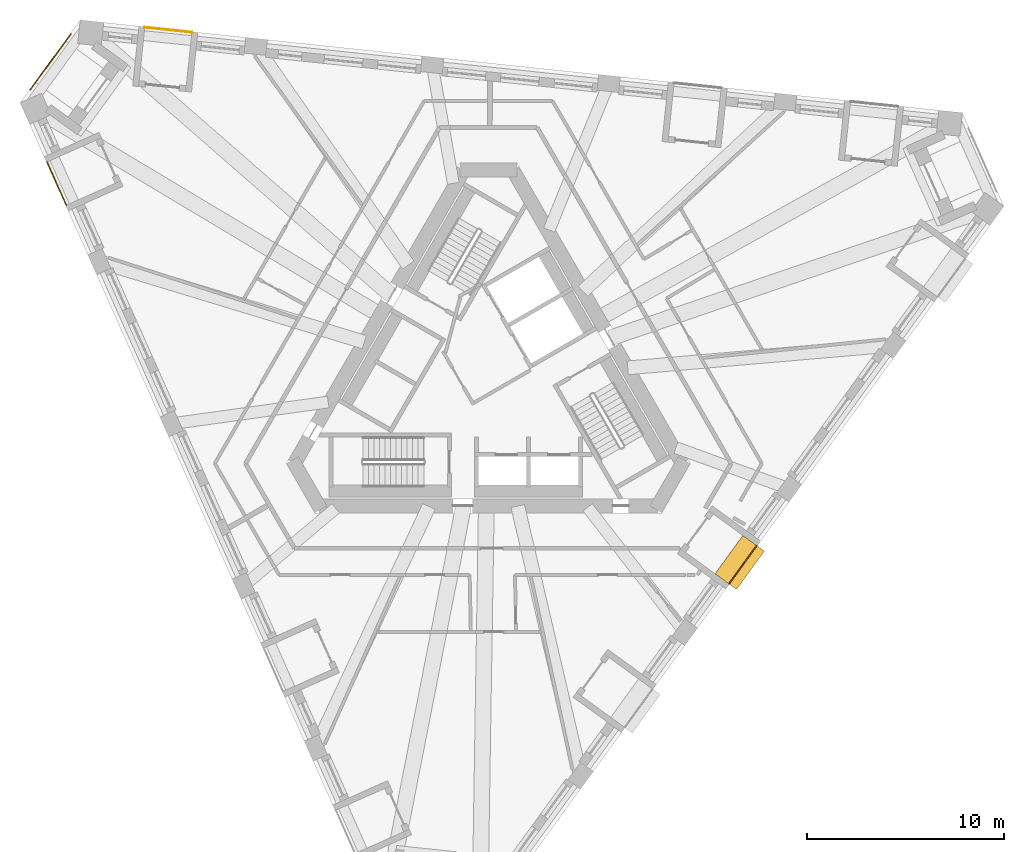
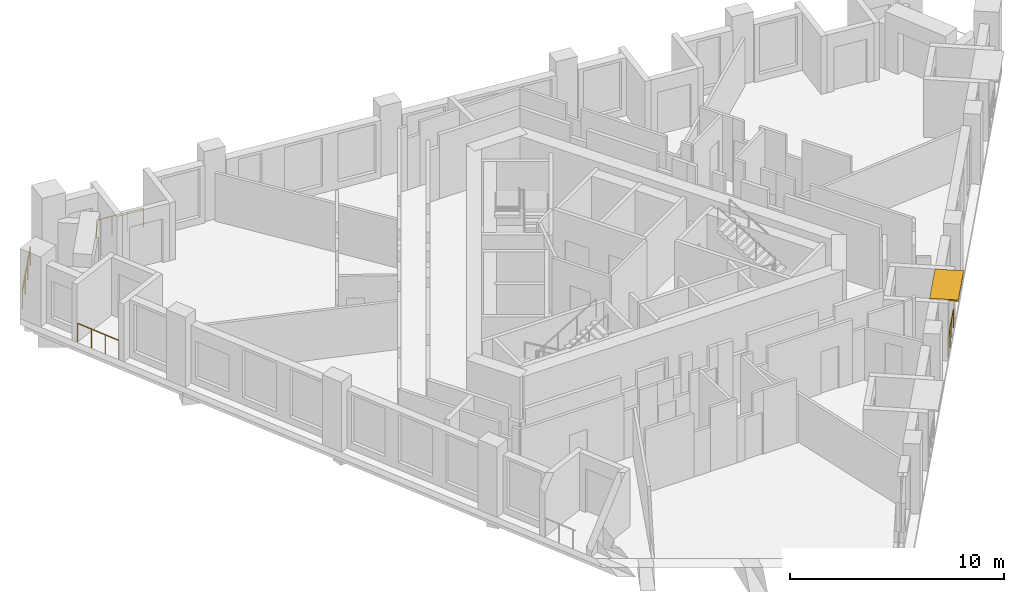
# One storey, part 10 of 11: 4 railings, 1 shading device.
"""IFC4 building model written with IfcOpenShell, lengths in metres."""

from ifc_helpers import new_model, si_unit, direction, frame, origin, origin_2d, place, context, subcontext, project, spatial, rectangle, circle, extrude, material, layer, layer_set, type_object, element, save


model = new_model("IFC4")

# Units and contexts
model_context = context("Model", 3, precision=1e-05, world=origin(), true_north=direction((0.0, 1.0)))
body_context = subcontext(model_context, "Body", "Model", "MODEL_VIEW")
ifc_project = project(units=[si_unit("LENGTHUNIT", "METRE"), si_unit("AREAUNIT", "SQUARE_METRE"), si_unit("VOLUMEUNIT", "CUBIC_METRE"), si_unit("PLANEANGLEUNIT", "RADIAN"), si_unit("MASSUNIT", "GRAM", prefix="KILO")], contexts=[model_context])

# Site, building, storey
site_placement = place(None, origin())
site = spatial("IfcSite", under=ifc_project, at=site_placement, CompositionType="ELEMENT")
building_placement = place(site_placement, origin())
building = spatial("IfcBuilding", under=site, at=building_placement, Name="Tramontana Tower", CompositionType="ELEMENT")
storey_placement = place(building_placement, frame((0.0, 0.0, 241.199951171875)))
storey = spatial("IfcBuildingStorey", under=building, at=storey_placement, Name="L56", CompositionType="ELEMENT", Elevation=241.199951171875)

# Railings
ifc_material_1 = material(Name="Laminated glass balustrade", Category="glass")
railing_type = type_object("IfcRailingType", Name="GD1 Loggia glass balustrade 1100", PredefinedType="BALUSTRADE", material=ifc_material_1)
railing_1_placement = place(storey_placement, frame((-22.404541015625, 11.0576171875, 0.0)))
element("IfcRailing", 1, at=railing_1_placement, inside=storey, type_object=railing_type, Name="Loggia balustrade L56 G6S0.1", PredefinedType="BALUSTRADE", context=body_context, shape_type="SweptSolid", body=[
    extrude(circle(Radius=0.02392578125, at=origin_2d()), frame((0.0, 0.0, 1.076171875), z_axis=(0.406723017018, -0.913551524232, 0.0), x_axis=(0.913551524232, 0.406723017018, 0.0)), (0.0, 0.0, 1.0), 2.40234375),
    extrude(circle(Radius=0.02099609375, at=origin_2d()), origin(), (0.0, 0.0, 1.0), 1.052001953125),
    extrude(circle(Radius=0.02099609375, at=origin_2d()), frame((0.32568359375, -0.7314453125, 0.0)), (0.0, 0.0, 1.0), 1.052001953125),
    extrude(circle(Radius=0.02099609375, at=origin_2d()), frame((0.6513671875, -1.463134765625, 0.0)), (0.0, 0.0, 1.0), 1.052001953125),
    extrude(circle(Radius=0.02099609375, at=origin_2d()), frame((0.97705078125, -2.194580078125, 0.0)), (0.0, 0.0, 1.0), 1.052001953125),
])
railing_2_placement = place(storey_placement, frame((12.214111328125, -10.358642578125, 0.0)))
element("IfcRailing", 2, at=railing_2_placement, inside=storey, type_object=railing_type, Name="Loggia balustrade L56 G6S1.7", PredefinedType="BALUSTRADE", context=body_context, shape_type="SweptSolid", body=[
    extrude(circle(Radius=0.02392578125, at=origin_2d()), frame((0.0, 0.0, 1.076171875), z_axis=(0.58776672416, 0.809030455527, 0.0), x_axis=(-0.809030455527, 0.58776672416, 0.0)), (0.0, 0.0, 1.0), 2.402099609375),
    extrude(circle(Radius=0.02099609375, at=origin_2d()), origin(), (0.0, 0.0, 1.0), 1.052001953125),
    extrude(circle(Radius=0.02099609375, at=origin_2d()), frame((0.470703125, 0.647705078125, 0.0)), (0.0, 0.0, 1.0), 1.052001953125),
    extrude(circle(Radius=0.02099609375, at=origin_2d()), frame((0.941162109375, 1.295654296875, 0.0)), (0.0, 0.0, 1.0), 1.052001953125),
    extrude(circle(Radius=0.02099609375, at=origin_2d()), frame((1.411865234375, 1.943359375, 0.0)), (0.0, 0.0, 1.0), 1.052001953125),
])
railing_3_placement = place(storey_placement, frame((-15.05078125, 17.639892578125, 0.0)))
element("IfcRailing", 3, at=railing_3_placement, inside=storey, type_object=railing_type, Name="Loggia balustrade L56 G6S2.13", PredefinedType="BALUSTRADE", context=body_context, shape_type="SweptSolid", body=[
    extrude(circle(Radius=0.02392578125, at=origin_2d()), frame((0.0, 0.0, 1.076171875), z_axis=(-0.994527704951, 0.104473173992, 0.0), x_axis=(-0.104473173992, -0.994527704951, 0.0)), (0.0, 0.0, 1.0), 2.40234375),
    extrude(circle(Radius=0.02099609375, at=origin_2d()), origin(), (0.0, 0.0, 1.0), 1.052001953125),
    extrude(circle(Radius=0.02099609375, at=origin_2d()), frame((-0.79638671875, 0.083740234375, 0.0)), (0.0, 0.0, 1.0), 1.052001953125),
    extrude(circle(Radius=0.02099609375, at=origin_2d()), frame((-1.5927734375, 0.167236328125, 0.0)), (0.0, 0.0, 1.0), 1.052001953125),
    extrude(circle(Radius=0.02099609375, at=origin_2d()), frame((-2.38916015625, 0.2509765625, 0.0)), (0.0, 0.0, 1.0), 1.052001953125),
])
railing_4_placement = place(storey_placement, frame((-23.25244140625, 14.730712890625, 0.0)))
element("IfcRailing", 4, at=railing_4_placement, inside=storey, type_object=railing_type, Name="Corner loggia balustrade L56 K60", PredefinedType="BALUSTRADE", context=body_context, shape_type="SweptSolid", body=[
    extrude(circle(Radius=0.02392578125, at=origin_2d()), frame((0.0, 0.0, 1.076171875), z_axis=(0.587810807352, 0.808998426921, 0.0), x_axis=(-0.808998426921, 0.587810807352, 0.0)), (0.0, 0.0, 1.0), 3.5),
    extrude(circle(Radius=0.02099609375, at=origin_2d()), origin(), (0.0, 0.0, 1.0), 1.052001953125),
    extrude(circle(Radius=0.02099609375, at=origin_2d()), frame((0.685791015625, 0.94384765625, 0.0)), (0.0, 0.0, 1.0), 1.052001953125),
    extrude(circle(Radius=0.02099609375, at=origin_2d()), frame((1.37158203125, 1.8876953125, 0.0)), (0.0, 0.0, 1.0), 1.052001953125),
    extrude(circle(Radius=0.02099609375, at=origin_2d()), frame((2.057373046875, 2.83154296875, 0.0)), (0.0, 0.0, 1.0), 1.052001953125),
])

# Shading device
ifc_material_2 = material(Name="Precast concrete 60 MPa", Category="concrete")
ifc_layer = layer(ifc_material_2, 0.080078125)
ifc_layer_set = layer_set([ifc_layer], Name="SS3 Stone sunshade blade 80")
shading_device_type = type_object("IfcShadingDeviceType", Name="SS3 Stone sunshade blade 80", PredefinedType="USERDEFINED", material=ifc_layer_set)
shading_device_placement = place(storey_placement, frame((12.76220703125, -9.272216796875, 3.219970703125), z_axis=(0.0, 0.0, 1.0), x_axis=(0.587785252292, 0.809016994375, 0.0)))
element("IfcShadingDevice", 5, at=shading_device_placement, inside=storey, type_object=shading_device_type, Name="Sunshade L56 G6S1.7", ObjectType="SUNSHADE", PredefinedType="USERDEFINED", context=body_context, shape_type="SweptSolid", body=[
    extrude(rectangle(XDim=2.402099609375, YDim=1.35009765625, at=origin_2d()), origin(), (0.0, 0.0, 1.0), 0.080078125),
])

save(model, "model.ifc")
